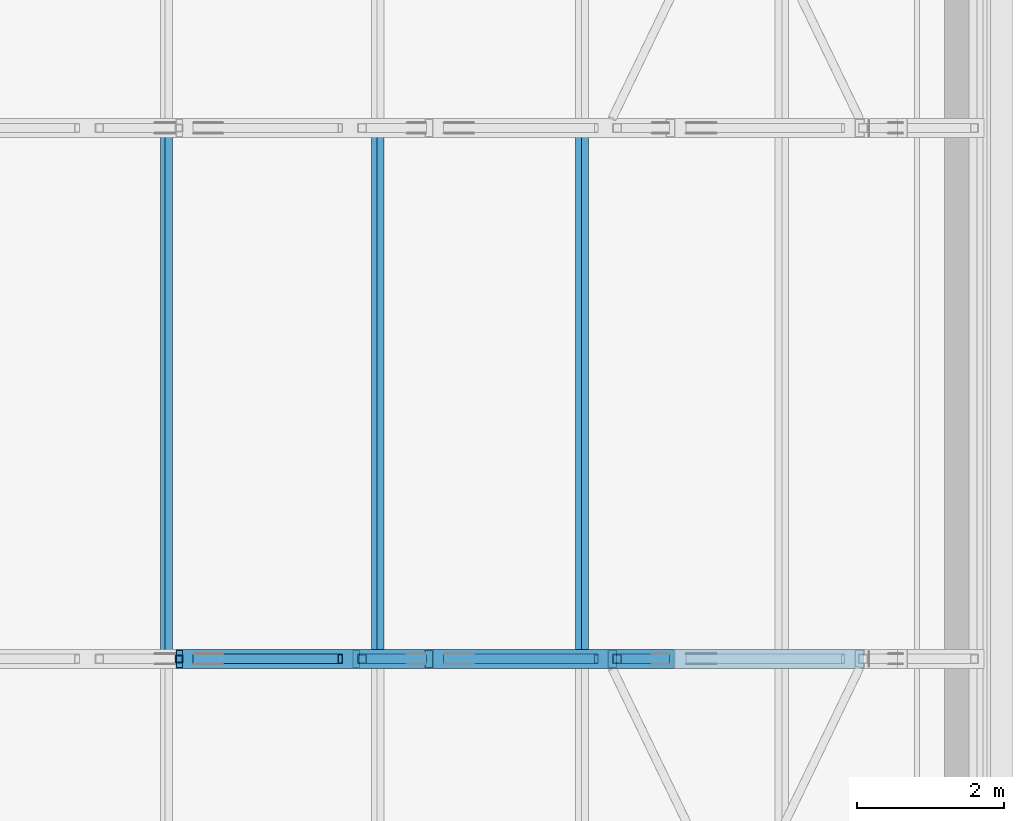
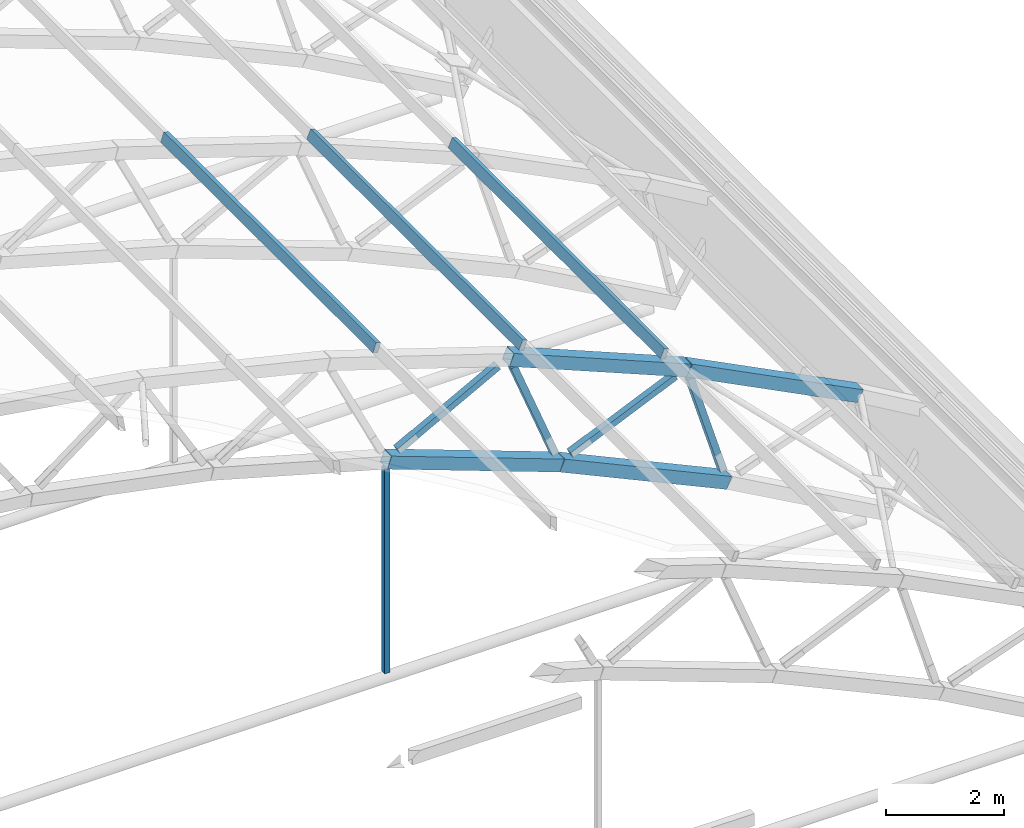
# One storey, part 18 of 127: 12 members.
"""IFC4 building model written with IfcOpenShell, lengths in metres."""

from ifc_helpers import new_model, si_unit, direction, frame, origin, origin_2d, place, context, subcontext, project, spatial, hollow_rectangle, extrude, material, material_profile, profile_set, type_object, element, save


model = new_model("IFC4")

# Units and contexts
model_context = context("Model", 3, precision=1e-05, world=origin(), true_north=direction((0.0, 1.0)))
body_context = subcontext(model_context, "Body", "Model", "MODEL_VIEW")
ifc_project = project(units=[si_unit("LENGTHUNIT", "METRE"), si_unit("AREAUNIT", "SQUARE_METRE"), si_unit("VOLUMEUNIT", "CUBIC_METRE"), si_unit("PLANEANGLEUNIT", "RADIAN"), si_unit("MASSUNIT", "GRAM", prefix="KILO")], contexts=[model_context])

# Site, building, storey
site_placement = place(None, origin())
site = spatial("IfcSite", under=ifc_project, at=site_placement, CompositionType="ELEMENT")
building_placement = place(site_placement, origin())
building = spatial("IfcBuilding", under=site, at=building_placement, Name="Verrick Yard Athletic Hall", CompositionType="ELEMENT")
storey_placement = place(building_placement, frame((0.0, 0.0, 14.0)))
storey = spatial("IfcBuildingStorey", under=building, at=storey_placement, Name="L03", CompositionType="ELEMENT", Elevation=14.0)

# Members
ifc_material = material(Name="Structural steel HSS Class C 350W (CSA G40.20/G40.21)", Category="steel")
ifc_material_profile_1 = material_profile(ifc_material, hollow_rectangle(XDim=0.25390625, YDim=0.25390625, WallThickness=0.009521484375, at=origin_2d()), Name="HSS254x254x9.5")
ifc_profile_set_1 = profile_set([ifc_material_profile_1], Name="Structural steel HSS Class C 350W (CSA G40.20/G40.21)")
member_type_1 = type_object("IfcMemberType", Name="HB bottom chord HSS254x254x9.5", PredefinedType="CHORD", material=ifc_profile_set_1)
member_1_placement = place(storey_placement, frame((66.197265625, 79.199951171875, 4.51123046875), z_axis=(0.938394107905, 0.0, -0.345566922966), x_axis=(0.0, 1.0, 0.0)))
element("IfcMember", 1, at=member_1_placement, inside=storey, type_object=member_type_1, Name="Truss TB2 bottom chord 12", PredefinedType="CHORD", context=body_context, shape_type="SweptSolid", body=[
    extrude(hollow_rectangle(XDim=0.25390625, YDim=0.25390625, WallThickness=0.009521484375, at=origin_2d()), origin(), (0.0, 0.0, 1.0), 3.595947265625),
])
member_2_placement = place(storey_placement, frame((69.580810546875, 79.199951171875, 3.2646484375), z_axis=(0.908445597889, 0.0, -0.418003104865), x_axis=(0.0, 1.0, 0.0)))
element("IfcMember", 2, at=member_2_placement, inside=storey, type_object=member_type_1, Name="Truss TB2 bottom chord 13", PredefinedType="CHORD", context=body_context, shape_type="SweptSolid", body=[
    extrude(hollow_rectangle(XDim=0.25390625, YDim=0.25390625, WallThickness=0.009521484375, at=origin_2d()), origin(), (0.0, 0.0, 1.0), 3.59619140625),
])
ifc_material_profile_2 = material_profile(ifc_material, hollow_rectangle(XDim=0.1015625, YDim=0.203125, WallThickness=0.009521484375, at=origin_2d()), Name="HSS203x102x9.5")
ifc_profile_set_2 = profile_set([ifc_material_profile_2], Name="Structural steel HSS Class C 350W (CSA G40.20/G40.21)")
member_type_2 = type_object("IfcMemberType", Name="HB purlin HSS203x102x9.5", PredefinedType="PURLIN", material=ifc_profile_set_2)
for number, where, z_axis, x_axis, name in (
    (3, (66.0205078125, 79.199951171875, 6.872802734375), (0.0, 1.0, 0.0), (-0.951213620533, 0.0, 0.308533058379), "HB-PU-B-2-14"),
    (4, (68.885009765625, 79.199951171875, 5.92431640625), (0.0, 1.0, 0.0), (-0.924122791552, 0.0, 0.382095624331), "HB-PU-B-2-15"),
    (5, (71.6572265625, 79.199951171875, 4.778076171875), (0.0, 1.0, 0.0), (-0.924122791552, 0.0, 0.382095624331), "HB-PU-B-2-16"),
):
    element("IfcMember", number, at=place(storey_placement, frame(where, z_axis=z_axis, x_axis=x_axis)), inside=storey, type_object=member_type_2, Name=name, PredefinedType="PURLIN", context=body_context, shape_type="SweptSolid", body=[
        extrude(hollow_rectangle(XDim=0.1015625, YDim=0.203125, WallThickness=0.009521484375, at=origin_2d()), origin(), (0.0, 0.0, 1.0), 7.199951171875),
    ])
ifc_material_profile_3 = material_profile(ifc_material, hollow_rectangle(XDim=0.25390625, YDim=0.25390625, WallThickness=0.009521484375, at=origin_2d()), Name="HSS254x254x9.5")
ifc_profile_set_3 = profile_set([ifc_material_profile_3], Name="Structural steel HSS Class C 350W (CSA G40.20/G40.21)")
member_type_3 = type_object("IfcMemberType", Name="HB top chord HSS254x254x9.5", PredefinedType="CHORD", material=ifc_profile_set_3)
member_3_placement = place(storey_placement, frame((68.592529296875, 79.199951171875, 5.7978515625), z_axis=(0.924130129149, 0.0, -0.382077877402), x_axis=(0.0, 1.0, 0.0)))
element("IfcMember", 6, at=member_3_placement, inside=storey, type_object=member_type_3, Name="Truss TB2 top chord 13", PredefinedType="CHORD", context=body_context, shape_type="SweptSolid", body=[
    extrude(hollow_rectangle(XDim=0.25390625, YDim=0.25390625, WallThickness=0.009521484375, at=origin_2d()), origin(), (0.0, 0.0, 1.0), 3.752685546875),
])
member_4_placement = place(storey_placement, frame((72.069580078125, 79.199951171875, 4.35986328125), z_axis=(0.891336584454, 0.0, -0.453342137037), x_axis=(0.0, 1.0, 0.0)))
element("IfcMember", 7, at=member_4_placement, inside=storey, type_object=member_type_3, Name="Truss TB2 top chord 14", PredefinedType="CHORD", context=body_context, shape_type="SweptSolid", body=[
    extrude(hollow_rectangle(XDim=0.25390625, YDim=0.25390625, WallThickness=0.009521484375, at=origin_2d()), origin(), (0.0, 0.0, 1.0), 3.754150390625),
])
ifc_material_profile_4 = material_profile(ifc_material, hollow_rectangle(XDim=0.1015625, YDim=0.1015625, WallThickness=0.00634765625, at=origin_2d()), Name="HSS102x102x6.4")
ifc_profile_set_4 = profile_set([ifc_material_profile_4], Name="Structural steel HSS Class C 350W (CSA G40.20/G40.21)")
member_type_4 = type_object("IfcMemberType", Name="HB truss hanger HSS102x102x6.4", PredefinedType="MEMBER", material=ifc_profile_set_4)
member_5_placement = place(storey_placement, frame((66.192626953125, 79.199951171875, 4.35888671875), z_axis=(0.0, 0.0, -1.0), x_axis=(0.0, -1.0, 0.0)))
element("IfcMember", 8, at=member_5_placement, inside=storey, type_object=member_type_4, Name="Truss TB2 hanger 3", PredefinedType="MEMBER", context=body_context, shape_type="SweptSolid", body=[
    extrude(hollow_rectangle(XDim=0.1015625, YDim=0.1015625, WallThickness=0.00634765625, at=origin_2d()), origin(), (0.0, 0.0, 1.0), 4.249267578125),
])
ifc_material_profile_5 = material_profile(ifc_material, hollow_rectangle(XDim=0.126953125, YDim=0.126953125, WallThickness=0.009521484375, at=origin_2d()), Name="HSS127x127x9.5")
ifc_profile_set_5 = profile_set([ifc_material_profile_5], Name="Structural steel HSS Class C 350W (CSA G40.20/G40.21)")
member_type_5 = type_object("IfcMemberType", Name="HB truss web HSS127x127x9.5", PredefinedType="BRACE", material=ifc_profile_set_5)
for number, where, z_axis, x_axis, name in (
    (9, (66.41162109375, 79.199951171875, 4.630615234375), (0.880902446091, 0.0, 0.473297877103), (0.0, 1.0, 0.0), "Truss TB2 web 23"),
    (10, (68.673828125, 79.199951171875, 5.579345703125), (0.363632709383, 0.0, -0.93154240519), (0.0, 1.0, 0.0), "Truss TB2 web 24"),
    (11, (69.803955078125, 79.199951171875, 3.366943359375), (0.915297302882, 0.0, 0.402778906272), (0.0, 1.0, 0.0), "Truss TB2 web 25"),
    (12, (72.1337890625, 79.199951171875, 4.135498046875), (0.289443070658, 0.0, -0.957195230268), (0.0, 1.0, 0.0), "Truss TB2 web 26"),
):
    element("IfcMember", number, at=place(storey_placement, frame(where, z_axis=z_axis, x_axis=x_axis)), inside=storey, type_object=member_type_5, Name=name, PredefinedType="BRACE", context=body_context, shape_type="SweptSolid", body=[
        extrude(hollow_rectangle(XDim=0.126953125, YDim=0.126953125, WallThickness=0.009521484375, at=origin_2d()), origin(), (0.0, 0.0, 1.0), 2.233642578125),
    ])

save(model, "model.ifc")
